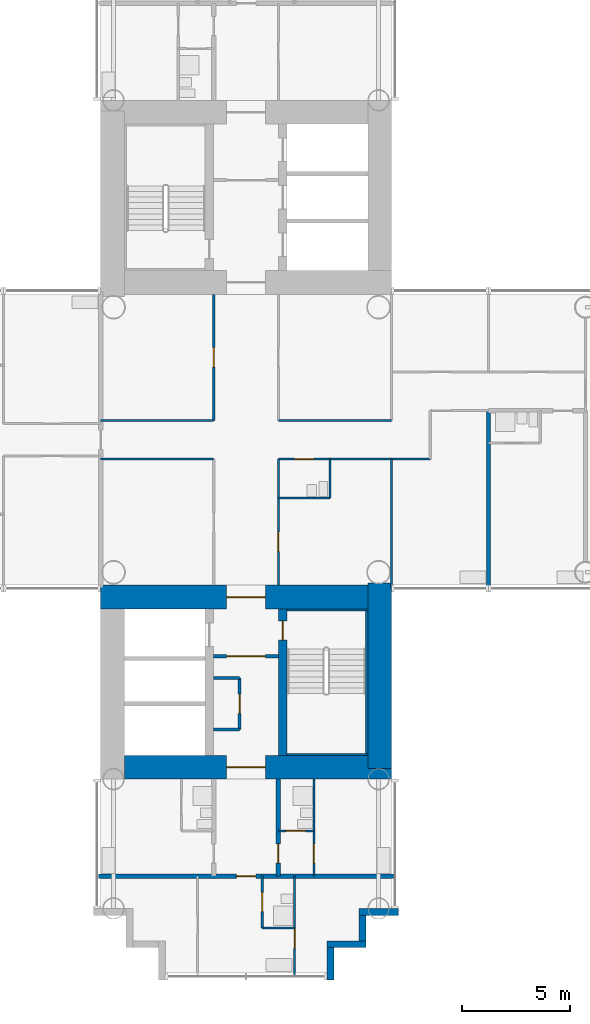
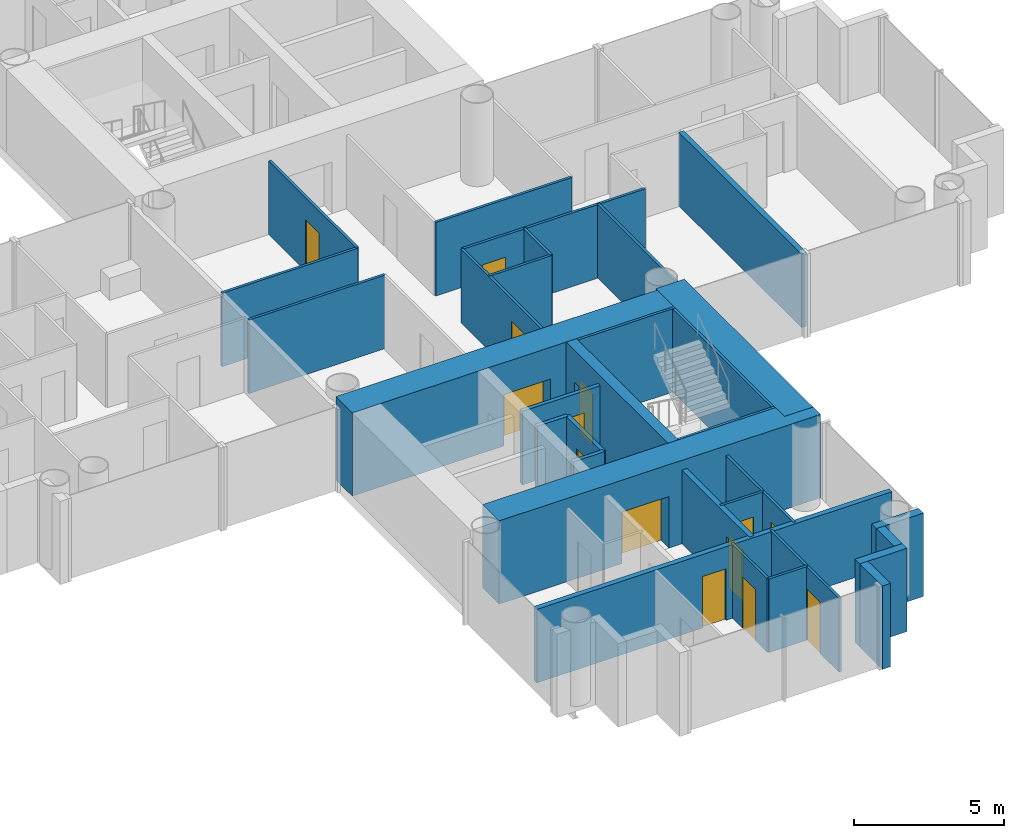
# One storey, part 14 of 22: 32 walls, 14 doors, 14 openings.
"""IFC4 building model written with IfcOpenShell, lengths in metres."""

from ifc_helpers import new_model, si_unit, direction, frame, frame_2d, origin, place, context, subcontext, project, spatial, rectangle, extrude, material, layer, layer_set, type_object, element, fill, save


model = new_model("IFC4")

# Units and contexts
model_context = context("Model", 3, precision=1e-05, world=origin(), true_north=direction((0.0, 1.0)))
body_context = subcontext(model_context, "Body", "Model", "MODEL_VIEW")
ifc_project = project(units=[si_unit("LENGTHUNIT", "METRE"), si_unit("AREAUNIT", "SQUARE_METRE"), si_unit("VOLUMEUNIT", "CUBIC_METRE"), si_unit("PLANEANGLEUNIT", "RADIAN"), si_unit("MASSUNIT", "GRAM", prefix="KILO")], contexts=[model_context])

# Site, building, storey
site_placement = place(None, origin())
site = spatial("IfcSite", under=ifc_project, at=site_placement, CompositionType="ELEMENT")
building_placement = place(site_placement, origin())
building = spatial("IfcBuilding", under=site, at=building_placement, Name="Ipe Terrace Towers", CompositionType="ELEMENT")
storey_placement = place(building_placement, frame((0.0, 0.0, 55.10009765625)))
storey = spatial("IfcBuildingStorey", under=building, at=storey_placement, Name="L14", CompositionType="ELEMENT", Elevation=55.10009765625)

# Walls
ifc_material_1 = material(Name="Concrete C40/50 with buff precast cladding", Category="concrete")
ifc_layer_1 = layer(ifc_material_1, 0.320068359375)
ifc_layer_set_1 = layer_set([ifc_layer_1], Name="BUFF CLADDING WALL 320")
wall_type_1 = type_object("IfcWallType", Name="BUFF CLADDING WALL 320", PredefinedType="STANDARD", material=ifc_layer_set_1)
wall_1_placement = place(storey_placement, frame((39.909912109375, -25.070068359375, -0.300048828125), z_axis=(0.0, 0.0, 1.0), x_axis=(0.0, 1.0, 0.0)))
element("IfcWall", 1, at=wall_1_placement, inside=storey, type_object=wall_type_1, Name="T2-W-L14-00a wall", PredefinedType="STANDARD", context=body_context, shape_type="SweptSolid", body=[
    extrude(rectangle(XDim=1.5, YDim=0.320068359375, at=frame_2d((0.75, 0.0))), origin(), (0.0, 0.0, 1.0), 3.39990234375),
])
wall_2_placement = place(storey_placement, frame((39.75, -23.409912109375, -0.300048828125), z_axis=(0.0, 0.0, 1.0), x_axis=(1.0, 0.0, 0.0)))
element("IfcWall", 2, at=wall_2_placement, inside=storey, type_object=wall_type_1, Name="T2-W-L14-01a wall", PredefinedType="STANDARD", context=body_context, shape_type="SweptSolid", body=[
    extrude(rectangle(XDim=1.820068359375, YDim=0.320068359375, at=frame_2d((0.91015625, 0.0))), origin(), (0.0, 0.0, 1.0), 3.39990234375),
])
wall_3_placement = place(storey_placement, frame((41.409912109375, -23.25, -0.300048828125), z_axis=(0.0, 0.0, 1.0), x_axis=(0.0, 1.0, 0.0)))
element("IfcWall", 3, at=wall_3_placement, inside=storey, type_object=wall_type_1, Name="T2-W-L14-02a wall", PredefinedType="STANDARD", context=body_context, shape_type="SweptSolid", body=[
    extrude(rectangle(XDim=1.179931640625, YDim=0.320068359375, at=frame_2d((0.58984375, 0.0))), origin(), (0.0, 0.0, 1.0), 3.39990234375),
])
wall_4_placement = place(storey_placement, frame((41.25, -21.909912109375, -0.300048828125), z_axis=(0.0, 0.0, 1.0), x_axis=(1.0, 0.0, 0.0)))
element("IfcWall", 4, at=wall_4_placement, inside=storey, type_object=wall_type_1, Name="T2-W-L14-03a wall", PredefinedType="STANDARD", context=body_context, shape_type="SweptSolid", body=[
    extrude(rectangle(XDim=1.820068359375, YDim=0.320068359375, at=frame_2d((0.91015625, 0.0))), origin(), (0.0, 0.0, 1.0), 3.39990234375),
])
ifc_material_2 = material(Name="Gypsum board partition", Category="plasterboard")
ifc_layer_2 = layer(ifc_material_2, 0.10009765625)
ifc_layer_set_2 = layer_set([ifc_layer_2], Name="Gypsum board partition 100 mm")
wall_type_2 = type_object("IfcWallType", Name="Gypsum board partition 100 mm", PredefinedType="PARTITIONING", material=ifc_layer_set_2)
wall_5_placement = place(storey_placement, frame((38.25, -22.64990234375, 0.0), z_axis=(0.0, 0.0, 1.0), x_axis=(-1.0, 0.0, 0.0)))
element("IfcWall", 5, at=wall_5_placement, inside=storey, type_object=wall_type_2, Name="Gypsum board partition T2 L14 W01", PredefinedType="PARTITIONING", context=body_context, shape_type="SweptSolid", body=[
    extrude(rectangle(XDim=1.5, YDim=0.10009765625, at=frame_2d((0.75, 0.0))), origin(), (0.0, 0.0, 1.0), 3.0),
])

# Wall, opening, door
wall_6_placement = place(storey_placement, frame((39.14990234375, -18.14990234375, 0.0), z_axis=(0.0, 0.0, 1.0), x_axis=(-1.0, 0.0, 0.0)))
wall_6 = element("IfcWall", 6, at=wall_6_placement, inside=storey, type_object=wall_type_2, Name="Gypsum board partition T2 L14 W03", PredefinedType="PARTITIONING", context=body_context, shape_type="SweptSolid", body=[
    extrude(rectangle(XDim=1.64990234375, YDim=0.10009765625, at=frame_2d((0.824951171875, 0.0))), origin(), (0.0, 0.0, 1.0), 3.0),
])
opening_1_placement = place(wall_6_placement, frame((0.39990234375, 0.0, 0.0)))
opening_1 = element("IfcOpeningElement", 7, at=opening_1_placement, cuts=wall_6, Name="Opening T2-Z1D-32", PredefinedType="OPENING", context=body_context, shape_type="SweptSolid", body=[
    extrude(rectangle(XDim=0.89990234375, YDim=2.10009765625, at=frame_2d((0.449951171875, 1.050048828125))), frame((0.0, 0.06005859375, 0.0), z_axis=(0.0, -1.0, 0.0), x_axis=(1.0, 0.0, 0.0)), (0.0, 0.0, 1.0), 0.1201171875),
])
ifc_material_3 = material(Name="Timber door leaf", Category="wood")
door_type_1 = type_object("IfcDoorType", Name="Bathroom door 900 x 2100", OperationType="NOTDEFINED", PredefinedType="DOOR", material=ifc_material_3)
door_1_placement = place(opening_1_placement, origin())
door_1 = element("IfcDoor", 8, at=door_1_placement, inside=storey, type_object=door_type_1, Name="Bathroom door T2-Z1D-32", OperationType="SINGLE_SWING_RIGHT", OverallHeight=2.10009765625, OverallWidth=0.89990234375, PredefinedType="DOOR", context=body_context, shape_type="SweptSolid", body=[
    extrude(rectangle(XDim=0.89990234375, YDim=2.10009765625, at=frame_2d((0.449951171875, 1.050048828125))), frame((0.0, 0.02490234375, 0.0), z_axis=(0.0, -1.0, 0.0), x_axis=(1.0, 0.0, 0.0)), (0.0, 0.0, 1.0), 0.050048828125),
])
fill(opening_1, door_1)

# Wall
wall_7_placement = place(storey_placement, frame((39.89990234375, -2.699951171875, 0.0), z_axis=(0.0, 0.0, 1.0), x_axis=(-1.0, 0.0, 0.0)))
element("IfcWall", 9, at=wall_7_placement, inside=storey, type_object=wall_type_2, Name="Gypsum board partition T2 L14 W06", PredefinedType="PARTITIONING", context=body_context, shape_type="SweptSolid", body=[
    extrude(rectangle(XDim=2.39990234375, YDim=0.10009765625, at=frame_2d((1.199951171875, 0.0))), origin(), (0.0, 0.0, 1.0), 3.0),
])

# Wall, opening, door
wall_8_placement = place(storey_placement, frame((44.550048828125, -0.89990234375, 0.0), z_axis=(0.0, 0.0, 1.0), x_axis=(-1.0, 0.0, 0.0)))
wall_8 = element("IfcWall", 10, at=wall_8_placement, inside=storey, type_object=wall_type_2, Name="Gypsum board partition T2 L14 W08", PredefinedType="PARTITIONING", context=body_context, shape_type="SweptSolid", body=[
    extrude(rectangle(XDim=7.050048828125, YDim=0.10009765625, at=frame_2d((3.52490234375, 0.0))), origin(), (0.0, 0.0, 1.0), 3.0),
])
opening_2_placement = place(wall_8_placement, frame((5.39990234375, 0.0, 0.0)))
opening_2 = element("IfcOpeningElement", 11, at=opening_2_placement, cuts=wall_8, Name="Opening T2-Z1D-01", PredefinedType="OPENING", context=body_context, shape_type="SweptSolid", body=[
    extrude(rectangle(XDim=0.89990234375, YDim=2.10009765625, at=frame_2d((0.449951171875, 1.050048828125))), frame((0.0, 0.06005859375, 0.0), z_axis=(0.0, -1.0, 0.0), x_axis=(1.0, 0.0, 0.0)), (0.0, 0.0, 1.0), 0.1201171875),
])
door_2_placement = place(opening_2_placement, origin())
door_2 = element("IfcDoor", 12, at=door_2_placement, inside=storey, type_object=door_type_1, Name="Bathroom door T2-Z1D-01", OperationType="SINGLE_SWING_LEFT", OverallHeight=2.10009765625, OverallWidth=0.89990234375, PredefinedType="DOOR", context=body_context, shape_type="SweptSolid", body=[
    extrude(rectangle(XDim=0.89990234375, YDim=2.10009765625, at=frame_2d((0.449951171875, 1.050048828125))), frame((0.0, 0.02490234375, 0.0), z_axis=(0.0, -1.0, 0.0), x_axis=(1.0, 0.0, 0.0)), (0.0, 0.0, 1.0), 0.050048828125),
])
fill(opening_2, door_2)

# Walls
for number, where, z_axis, x_axis, name in (
    (13, (34.5, -0.89990234375, 0.0), (0.0, 0.0, 1.0), (-1.0, 0.0, 0.0), "Gypsum board partition T2 L14 W09"),
    (14, (42.75, 0.89990234375, 0.0), (0.0, 0.0, 1.0), (-1.0, 0.0, 0.0), "Gypsum board partition T2 L14 W14"),
    (15, (34.5, 0.89990234375, 0.0), (0.0, 0.0, 1.0), (-1.0, 0.0, 0.0), "Gypsum board partition T2 L14 W15"),
):
    element("IfcWall", number, at=place(storey_placement, frame(where, z_axis=z_axis, x_axis=x_axis)), inside=storey, type_object=wall_type_2, Name=name, PredefinedType="PARTITIONING", context=body_context, shape_type="SweptSolid", body=[
        extrude(rectangle(XDim=5.25, YDim=0.10009765625, at=frame_2d((2.625, 0.0))), origin(), (0.0, 0.0, 1.0), 3.0),
    ])
wall_9_placement = place(storey_placement, frame((42.75, -6.85009765625, 0.0), z_axis=(0.0, 0.0, 1.0), x_axis=(0.0, 1.0, 0.0)))
element("IfcWall", 16, at=wall_9_placement, inside=storey, type_object=wall_type_2, Name="Gypsum board partition T2 L14 W30", PredefinedType="PARTITIONING", context=body_context, shape_type="SweptSolid", body=[
    extrude(rectangle(XDim=5.9501953125, YDim=0.10009765625, at=frame_2d((2.97509765625, 0.0))), origin(), (0.0, 0.0, 1.0), 3.0),
])
wall_10_placement = place(storey_placement, frame((39.89990234375, -2.699951171875, 0.0), z_axis=(0.0, 0.0, 1.0), x_axis=(0.0, 1.0, 0.0)))
element("IfcWall", 17, at=wall_10_placement, inside=storey, type_object=wall_type_2, Name="Gypsum board partition T2 L14 W32", PredefinedType="PARTITIONING", context=body_context, shape_type="SweptSolid", body=[
    extrude(rectangle(XDim=1.800048828125, YDim=0.10009765625, at=frame_2d((0.89990234375, 0.0))), origin(), (0.0, 0.0, 1.0), 3.0),
])

# Wall, opening, door
wall_11_placement = place(storey_placement, frame((39.14990234375, -20.25, 0.0), z_axis=(0.0, 0.0, 1.0), x_axis=(0.0, 1.0, 0.0)))
wall_11 = element("IfcWall", 18, at=wall_11_placement, inside=storey, type_object=wall_type_2, Name="Gypsum board partition T2 L14 W33", PredefinedType="PARTITIONING", context=body_context, shape_type="SweptSolid", body=[
    extrude(rectangle(XDim=4.5, YDim=0.10009765625, at=frame_2d((2.25, 0.0))), origin(), (0.0, 0.0, 1.0), 3.0),
])
opening_3_placement = place(wall_11_placement, frame((0.60009765625, 0.0, 0.0)))
opening_3 = element("IfcOpeningElement", 19, at=opening_3_placement, cuts=wall_11, Name="Opening T2-Z1D-31", PredefinedType="OPENING", context=body_context, shape_type="SweptSolid", body=[
    extrude(rectangle(XDim=0.89990234375, YDim=2.10009765625, at=frame_2d((0.449951171875, 1.050048828125))), frame((0.0, 0.06005859375, 0.0), z_axis=(0.0, -1.0, 0.0), x_axis=(1.0, 0.0, 0.0)), (0.0, 0.0, 1.0), 0.1201171875),
])
ifc_material_4 = material(Name="Timber door leaf", Category="wood")
door_type_2 = type_object("IfcDoorType", Name="Bedroom door 900 x 2100", OperationType="NOTDEFINED", PredefinedType="DOOR", material=ifc_material_4)
door_3_placement = place(opening_3_placement, origin())
door_3 = element("IfcDoor", 20, at=door_3_placement, inside=storey, type_object=door_type_2, Name="Bedroom door T2-Z1D-31", OperationType="SINGLE_SWING_LEFT", OverallHeight=2.10009765625, OverallWidth=0.89990234375, PredefinedType="DOOR", context=body_context, shape_type="SweptSolid", body=[
    extrude(rectangle(XDim=0.89990234375, YDim=2.10009765625, at=frame_2d((0.449951171875, 1.050048828125))), frame((0.0, 0.02490234375, 0.0), z_axis=(0.0, -1.0, 0.0), x_axis=(1.0, 0.0, 0.0)), (0.0, 0.0, 1.0), 0.050048828125),
])
fill(opening_3, door_3)

wall_12_placement = place(storey_placement, frame((38.25, -24.85009765625, 0.0), z_axis=(0.0, 0.0, 1.0), x_axis=(0.0, 1.0, 0.0)))
wall_12 = element("IfcWall", 21, at=wall_12_placement, inside=storey, type_object=wall_type_2, Name="Gypsum board partition T2 L14 W34", PredefinedType="PARTITIONING", context=body_context, shape_type="SweptSolid", body=[
    extrude(rectangle(XDim=4.60009765625, YDim=0.10009765625, at=frame_2d((2.300048828125, 0.0))), origin(), (0.0, 0.0, 1.0), 3.0),
])
opening_4_placement = place(wall_12_placement, frame((1.25, 0.0, 0.0)))
opening_4 = element("IfcOpeningElement", 22, at=opening_4_placement, cuts=wall_12, Name="Opening T2-Z1D-37", PredefinedType="OPENING", context=body_context, shape_type="SweptSolid", body=[
    extrude(rectangle(XDim=0.89990234375, YDim=2.10009765625, at=frame_2d((0.449951171875, 1.050048828125))), frame((0.0, 0.06005859375, 0.0), z_axis=(0.0, -1.0, 0.0), x_axis=(1.0, 0.0, 0.0)), (0.0, 0.0, 1.0), 0.1201171875),
])
ifc_material_5 = material(Name="Timber door leaf", Category="wood")
door_type_3 = type_object("IfcDoorType", Name="Lounge door 900 x 2100", OperationType="NOTDEFINED", PredefinedType="DOOR", material=ifc_material_5)
door_4_placement = place(opening_4_placement, origin())
door_4 = element("IfcDoor", 23, at=door_4_placement, inside=storey, type_object=door_type_3, Name="Lounge door T2-Z1D-37", OperationType="SINGLE_SWING_LEFT", OverallHeight=2.10009765625, OverallWidth=0.89990234375, PredefinedType="DOOR", context=body_context, shape_type="SweptSolid", body=[
    extrude(rectangle(XDim=0.89990234375, YDim=2.10009765625, at=frame_2d((0.449951171875, 1.050048828125))), frame((0.0, 0.02490234375, 0.0), z_axis=(0.0, -1.0, 0.0), x_axis=(1.0, 0.0, 0.0)), (0.0, 0.0, 1.0), 0.050048828125),
])
fill(opening_4, door_4)

wall_13_placement = place(storey_placement, frame((37.5, -6.75, 0.0), z_axis=(0.0, 0.0, 1.0), x_axis=(0.0, 1.0, 0.0)))
wall_13 = element("IfcWall", 24, at=wall_13_placement, inside=storey, type_object=wall_type_2, Name="Gypsum board partition T2 L14 W36", PredefinedType="PARTITIONING", context=body_context, shape_type="SweptSolid", body=[
    extrude(rectangle(XDim=5.85009765625, YDim=0.10009765625, at=frame_2d((2.925048828125, 0.0))), origin(), (0.0, 0.0, 1.0), 3.0),
])
opening_5_placement = place(wall_13_placement, frame((1.574951171875, 0.0, 0.0)))
opening_5 = element("IfcOpeningElement", 25, at=opening_5_placement, cuts=wall_13, Name="Opening T2-Z1D-04", PredefinedType="OPENING", context=body_context, shape_type="SweptSolid", body=[
    extrude(rectangle(XDim=0.89990234375, YDim=2.10009765625, at=frame_2d((0.449951171875, 1.050048828125))), frame((0.0, 0.06005859375, 0.0), z_axis=(0.0, -1.0, 0.0), x_axis=(1.0, 0.0, 0.0)), (0.0, 0.0, 1.0), 0.1201171875),
])
door_5_placement = place(opening_5_placement, origin())
door_5 = element("IfcDoor", 26, at=door_5_placement, inside=storey, type_object=door_type_3, Name="Lounge door T2-Z1D-04", OperationType="SINGLE_SWING_LEFT", OverallHeight=2.10009765625, OverallWidth=0.89990234375, PredefinedType="DOOR", context=body_context, shape_type="SweptSolid", body=[
    extrude(rectangle(XDim=0.89990234375, YDim=2.10009765625, at=frame_2d((0.449951171875, 1.050048828125))), frame((0.0, 0.02490234375, 0.0), z_axis=(0.0, -1.0, 0.0), x_axis=(1.0, 0.0, 0.0)), (0.0, 0.0, 1.0), 0.050048828125),
])
fill(opening_5, door_5)

wall_14_placement = place(storey_placement, frame((36.75, -22.64990234375, 0.0), z_axis=(0.0, 0.0, 1.0), x_axis=(0.0, 1.0, 0.0)))
wall_14 = element("IfcWall", 27, at=wall_14_placement, inside=storey, type_object=wall_type_2, Name="Gypsum board partition T2 L14 W40", PredefinedType="PARTITIONING", context=body_context, shape_type="SweptSolid", body=[
    extrude(rectangle(XDim=2.39990234375, YDim=0.10009765625, at=frame_2d((1.199951171875, 0.0))), origin(), (0.0, 0.0, 1.0), 3.0),
])
opening_6_placement = place(wall_14_placement, frame((0.75, 0.0, 0.0)))
opening_6 = element("IfcOpeningElement", 28, at=opening_6_placement, cuts=wall_14, Name="Opening T2-Z1D-35", PredefinedType="OPENING", context=body_context, shape_type="SweptSolid", body=[
    extrude(rectangle(XDim=0.89990234375, YDim=2.10009765625, at=frame_2d((0.449951171875, 1.050048828125))), frame((0.0, 0.06005859375, 0.0), z_axis=(0.0, -1.0, 0.0), x_axis=(1.0, 0.0, 0.0)), (0.0, 0.0, 1.0), 0.1201171875),
])
door_6_placement = place(opening_6_placement, origin())
door_6 = element("IfcDoor", 29, at=door_6_placement, inside=storey, type_object=door_type_1, Name="Bathroom door T2-Z1D-35", OperationType="SINGLE_SWING_RIGHT", OverallHeight=2.10009765625, OverallWidth=0.89990234375, PredefinedType="DOOR", context=body_context, shape_type="SweptSolid", body=[
    extrude(rectangle(XDim=0.89990234375, YDim=2.10009765625, at=frame_2d((0.449951171875, 1.050048828125))), frame((0.0, 0.02490234375, 0.0), z_axis=(0.0, -1.0, 0.0), x_axis=(1.0, 0.0, 0.0)), (0.0, 0.0, 1.0), 0.050048828125),
])
fill(opening_6, door_6)

wall_15_placement = place(storey_placement, frame((34.5, 0.89990234375, 0.0), z_axis=(0.0, 0.0, 1.0), x_axis=(0.0, 1.0, 0.0)))
wall_15 = element("IfcWall", 30, at=wall_15_placement, inside=storey, type_object=wall_type_2, Name="Gypsum board partition T2 L14 W43", PredefinedType="PARTITIONING", context=body_context, shape_type="SweptSolid", body=[
    extrude(rectangle(XDim=5.85009765625, YDim=0.10009765625, at=frame_2d((2.925048828125, 0.0))), origin(), (0.0, 0.0, 1.0), 3.0),
])
opening_7_placement = place(wall_15_placement, frame((2.47509765625, 0.0, 0.0)))
opening_7 = element("IfcOpeningElement", 31, at=opening_7_placement, cuts=wall_15, Name="Opening T2-Z1D-02", PredefinedType="OPENING", context=body_context, shape_type="SweptSolid", body=[
    extrude(rectangle(XDim=0.89990234375, YDim=2.10009765625, at=frame_2d((0.449951171875, 1.050048828125))), frame((0.0, 0.06005859375, 0.0), z_axis=(0.0, -1.0, 0.0), x_axis=(1.0, 0.0, 0.0)), (0.0, 0.0, 1.0), 0.1201171875),
])
door_7_placement = place(opening_7_placement, origin())
door_7 = element("IfcDoor", 32, at=door_7_placement, inside=storey, type_object=door_type_3, Name="Lounge door T2-Z1D-02", OperationType="SINGLE_SWING_LEFT", OverallHeight=2.10009765625, OverallWidth=0.89990234375, PredefinedType="DOOR", context=body_context, shape_type="SweptSolid", body=[
    extrude(rectangle(XDim=0.89990234375, YDim=2.10009765625, at=frame_2d((0.449951171875, 1.050048828125))), frame((0.0, 0.02490234375, 0.0), z_axis=(0.0, -1.0, 0.0), x_axis=(1.0, 0.0, 0.0)), (0.0, 0.0, 1.0), 0.050048828125),
])
fill(opening_7, door_7)

ifc_material_6 = material(Name="Gypsum board partition", Category="plasterboard")
ifc_layer_3 = layer(ifc_material_6, 0.14990234375)
ifc_layer_set_3 = layer_set([ifc_layer_3], Name="Gypsum board partition 150 mm")
wall_type_3 = type_object("IfcWallType", Name="Gypsum board partition 150 mm", PredefinedType="PARTITIONING", material=ifc_layer_set_3)
wall_16_placement = place(storey_placement, frame((34.5, -10.050048828125, 0.0), z_axis=(0.0, 0.0, 1.0), x_axis=(1.0, 0.0, 0.0)))
wall_16 = element("IfcWall", 33, at=wall_16_placement, inside=storey, type_object=wall_type_3, Name="Gypsum board partition T2 L14 t2c2-lobby-wall", PredefinedType="PARTITIONING", context=body_context, shape_type="SweptSolid", body=[
    extrude(rectangle(XDim=3.0, YDim=0.14990234375, at=frame_2d((1.5, 0.0))), origin(), (0.0, 0.0, 1.0), 3.0),
])
opening_8_placement = place(wall_16_placement, frame((0.60009765625, 0.0, 0.0)))
opening_8 = element("IfcOpeningElement", 34, at=opening_8_placement, cuts=wall_16, Name="Opening T2C2-VD", PredefinedType="OPENING", context=body_context, shape_type="SweptSolid", body=[
    extrude(rectangle(XDim=1.800048828125, YDim=2.10009765625, at=frame_2d((0.89990234375, 1.050048828125))), frame((0.0, 0.0849609375, 0.0), z_axis=(0.0, -1.0, 0.0), x_axis=(1.0, 0.0, 0.0)), (0.0, 0.0, 1.0), 0.169921875),
])
ifc_material_7 = material(Name="Fire-rated timber door leaf", Category="wood")
door_type_4 = type_object("IfcDoorType", Name="Lobby door 1800 x 2100 FD60", OperationType="NOTDEFINED", PredefinedType="DOOR", material=ifc_material_7)
door_8_placement = place(opening_8_placement, origin())
door_8 = element("IfcDoor", 35, at=door_8_placement, inside=storey, type_object=door_type_4, Name="Lobby door T2C2-VD", OperationType="SINGLE_SWING_LEFT", OverallHeight=2.10009765625, OverallWidth=1.800048828125, PredefinedType="DOOR", context=body_context, shape_type="SweptSolid", body=[
    extrude(rectangle(XDim=1.800048828125, YDim=2.10009765625, at=frame_2d((0.89990234375, 1.050048828125))), frame((0.0, 0.02490234375, 0.0), z_axis=(0.0, -1.0, 0.0), x_axis=(1.0, 0.0, 0.0)), (0.0, 0.0, 1.0), 0.050048828125),
])
fill(opening_8, door_8)

wall_17_placement = place(storey_placement, frame((35.699951171875, -11.050048828125, 0.0), z_axis=(0.0, 0.0, 1.0), x_axis=(0.0, -1.0, 0.0)))
wall_17 = element("IfcWall", 36, at=wall_17_placement, inside=storey, type_object=wall_type_3, Name="Gypsum board partition T2 L14 t2c2-cup-s-f", PredefinedType="PARTITIONING", context=body_context, shape_type="SweptSolid", body=[
    extrude(rectangle(XDim=2.39990234375, YDim=0.14990234375, at=frame_2d((1.199951171875, 0.0))), origin(), (0.0, 0.0, 1.0), 3.0),
])
opening_9_placement = place(wall_17_placement, frame((0.75, 0.0, 0.0)))
opening_9 = element("IfcOpeningElement", 37, at=opening_9_placement, cuts=wall_17, Name="Opening T2C2-SC", PredefinedType="OPENING", context=body_context, shape_type="SweptSolid", body=[
    extrude(rectangle(XDim=0.89990234375, YDim=2.10009765625, at=frame_2d((0.449951171875, 1.050048828125))), frame((0.0, 0.0849609375, 0.0), z_axis=(0.0, -1.0, 0.0), x_axis=(1.0, 0.0, 0.0)), (0.0, 0.0, 1.0), 0.169921875),
])
ifc_material_8 = material(Name="Fire-rated timber door leaf", Category="wood")
door_type_5 = type_object("IfcDoorType", Name="Service door 900 x 2100 FD30S", OperationType="NOTDEFINED", PredefinedType="DOOR", material=ifc_material_8)
door_9_placement = place(opening_9_placement, origin())
door_9 = element("IfcDoor", 38, at=door_9_placement, inside=storey, type_object=door_type_5, Name="Service door T2C2-SC", OperationType="SINGLE_SWING_LEFT", OverallHeight=2.10009765625, OverallWidth=0.89990234375, PredefinedType="DOOR", context=body_context, shape_type="SweptSolid", body=[
    extrude(rectangle(XDim=0.89990234375, YDim=2.10009765625, at=frame_2d((0.449951171875, 1.050048828125))), frame((0.0, 0.02490234375, 0.0), z_axis=(0.0, -1.0, 0.0), x_axis=(1.0, 0.0, 0.0)), (0.0, 0.0, 1.0), 0.050048828125),
])
fill(opening_9, door_9)

# Walls
for number, where, z_axis, x_axis, name in (
    (39, (35.699951171875, -11.050048828125, 0.0), (0.0, 0.0, 1.0), (-1.0, 0.0, 0.0), "Gypsum board partition T2 L14 t2c2-cup-s-a"),
    (40, (35.699951171875, -13.449951171875, 0.0), (0.0, 0.0, 1.0), (-1.0, 0.0, 0.0), "Gypsum board partition T2 L14 t2c2-cup-s-b"),
):
    element("IfcWall", number, at=place(storey_placement, frame(where, z_axis=z_axis, x_axis=x_axis)), inside=storey, type_object=wall_type_3, Name=name, PredefinedType="PARTITIONING", context=body_context, shape_type="SweptSolid", body=[
        extrude(rectangle(XDim=1.199951171875, YDim=0.14990234375, at=frame_2d((0.60009765625, 0.0))), origin(), (0.0, 0.0, 1.0), 3.0),
    ])

# Wall, opening, door
ifc_material_9 = material(Name="Gypsum board party wall", Category="plasterboard")
ifc_layer_4 = layer(ifc_material_9, 0.199951171875)
ifc_layer_set_4 = layer_set([ifc_layer_4], Name="Gypsum board party wall 200 mm")
wall_type_4 = type_object("IfcWallType", Name="Gypsum board party wall 200 mm", PredefinedType="SOLIDWALL", material=ifc_layer_set_4)
wall_18_placement = place(storey_placement, frame((42.85009765625, -20.25, 0.0), z_axis=(0.0, 0.0, 1.0), x_axis=(-1.0, 0.0, 0.0)))
wall_18 = element("IfcWall", 41, at=wall_18_placement, inside=storey, type_object=wall_type_4, Name="Gypsum board party wall T2 L14 W02", PredefinedType="SOLIDWALL", context=body_context, shape_type="SweptSolid", body=[
    extrude(rectangle(XDim=13.7001953125, YDim=0.199951171875, at=frame_2d((6.85009765625, 0.0))), origin(), (0.0, 0.0, 1.0), 3.0),
])
opening_10_placement = place(wall_18_placement, frame((6.39990234375, 0.0, 0.0)))
opening_10 = element("IfcOpeningElement", 42, at=opening_10_placement, cuts=wall_18, Name="Opening T2-Z1D-36", PredefinedType="OPENING", context=body_context, shape_type="SweptSolid", body=[
    extrude(rectangle(XDim=0.89990234375, YDim=2.10009765625, at=frame_2d((0.449951171875, 1.050048828125))), frame((0.0, 0.10986328125, 0.0), z_axis=(0.0, -1.0, 0.0), x_axis=(1.0, 0.0, 0.0)), (0.0, 0.0, 1.0), 0.219970703125),
])
ifc_material_10 = material(Name="Fire-rated timber door leaf", Category="wood")
door_type_6 = type_object("IfcDoorType", Name="Flat entrance door 900 x 2100 FD30S", OperationType="NOTDEFINED", PredefinedType="DOOR", material=ifc_material_10)
door_10_placement = place(opening_10_placement, origin())
door_10 = element("IfcDoor", 43, at=door_10_placement, inside=storey, type_object=door_type_6, Name="Flat entrance door T2-Z1D-36", OperationType="SINGLE_SWING_LEFT", OverallHeight=2.10009765625, OverallWidth=0.89990234375, PredefinedType="DOOR", context=body_context, shape_type="SweptSolid", body=[
    extrude(rectangle(XDim=0.89990234375, YDim=2.10009765625, at=frame_2d((0.449951171875, 1.050048828125))), frame((0.0, 0.02490234375, 0.0), z_axis=(0.0, -1.0, 0.0), x_axis=(1.0, 0.0, 0.0)), (0.0, 0.0, 1.0), 0.050048828125),
])
fill(opening_10, door_10)

# Wall
wall_19_placement = place(storey_placement, frame((47.25, -6.85009765625, 0.0), z_axis=(0.0, 0.0, 1.0), x_axis=(0.0, 1.0, 0.0)))
element("IfcWall", 44, at=wall_19_placement, inside=storey, type_object=wall_type_4, Name="Gypsum board party wall T2 L14 W28", PredefinedType="SOLIDWALL", context=body_context, shape_type="SweptSolid", body=[
    extrude(rectangle(XDim=8.2001953125, YDim=0.199951171875, at=frame_2d((4.10009765625, 0.0))), origin(), (0.0, 0.0, 1.0), 3.0),
])

# Wall, opening, door
wall_20_placement = place(storey_placement, frame((37.5, -20.25, 0.0), z_axis=(0.0, 0.0, 1.0), x_axis=(0.0, 1.0, 0.0)))
wall_20 = element("IfcWall", 45, at=wall_20_placement, inside=storey, type_object=wall_type_4, Name="Gypsum board party wall T2 L14 W39", PredefinedType="SOLIDWALL", context=body_context, shape_type="SweptSolid", body=[
    extrude(rectangle(XDim=4.5, YDim=0.199951171875, at=frame_2d((2.25, 0.0))), origin(), (0.0, 0.0, 1.0), 3.0),
])
opening_11_placement = place(wall_20_placement, frame((0.60009765625, 0.0, 0.0)))
opening_11 = element("IfcOpeningElement", 46, at=opening_11_placement, cuts=wall_20, Name="Opening T2-Z1D-30", PredefinedType="OPENING", context=body_context, shape_type="SweptSolid", body=[
    extrude(rectangle(XDim=0.89990234375, YDim=2.10009765625, at=frame_2d((0.449951171875, 1.050048828125))), frame((0.0, 0.10986328125, 0.0), z_axis=(0.0, -1.0, 0.0), x_axis=(1.0, 0.0, 0.0)), (0.0, 0.0, 1.0), 0.219970703125),
])
door_11_placement = place(opening_11_placement, origin())
door_11 = element("IfcDoor", 47, at=door_11_placement, inside=storey, type_object=door_type_6, Name="Flat entrance door T2-Z1D-30", OperationType="SINGLE_SWING_LEFT", OverallHeight=2.10009765625, OverallWidth=0.89990234375, PredefinedType="DOOR", context=body_context, shape_type="SweptSolid", body=[
    extrude(rectangle(XDim=0.89990234375, YDim=2.10009765625, at=frame_2d((0.449951171875, 1.050048828125))), frame((0.0, 0.02490234375, 0.0), z_axis=(0.0, -1.0, 0.0), x_axis=(1.0, 0.0, 0.0)), (0.0, 0.0, 1.0), 0.050048828125),
])
fill(opening_11, door_11)

# Walls
ifc_material_11 = material(Name="Concrete C60/75", Category="concrete")
ifc_layer_5 = layer(ifc_material_11, 0.10009765625)
ifc_layer_set_5 = layer_set([ifc_layer_5], Name="RW100 CORE INFILL WALL 100 C60-75")
wall_type_5 = type_object("IfcWallType", Name="RW100 CORE INFILL WALL 100 C60-75", PredefinedType="SHEAR", material=ifc_layer_set_5)
wall_21_placement = place(storey_placement, frame((37.89990234375, -14.60009765625, 0.0), z_axis=(0.0, 0.0, 1.0), x_axis=(1.0, 0.0, 0.0)))
element("IfcWall", 48, at=wall_21_placement, inside=storey, type_object=wall_type_5, Name="Core infill wall T2-C2-far", PredefinedType="SHEAR", context=body_context, shape_type="SweptSolid", body=[
    extrude(rectangle(XDim=3.75, YDim=0.10009765625, at=frame_2d((1.875, 0.0))), origin(), (0.0, 0.0, 1.0), 3.39990234375),
])
wall_22_placement = place(storey_placement, frame((41.60009765625, -7.949951171875, 0.0), z_axis=(0.0, 0.0, 1.0), x_axis=(0.0, -1.0, 0.0)))
element("IfcWall", 49, at=wall_22_placement, inside=storey, type_object=wall_type_5, Name="Core infill wall T2-C2-back", PredefinedType="SHEAR", context=body_context, shape_type="SweptSolid", body=[
    extrude(rectangle(XDim=6.60009765625, YDim=0.10009765625, at=frame_2d((3.300048828125, 0.0))), origin(), (0.0, 0.0, 1.0), 3.39990234375),
])
wall_23_placement = place(storey_placement, frame((37.89990234375, -7.89990234375, 0.0), z_axis=(0.0, 0.0, 1.0), x_axis=(1.0, 0.0, 0.0)))
element("IfcWall", 50, at=wall_23_placement, inside=storey, type_object=wall_type_5, Name="Core infill wall T2-C2-near", PredefinedType="SHEAR", context=body_context, shape_type="SweptSolid", body=[
    extrude(rectangle(XDim=3.75, YDim=0.10009765625, at=frame_2d((1.875, 0.0))), origin(), (0.0, 0.0, 1.0), 3.39990234375),
])

# Wall, opening, door
ifc_material_12 = material(Name="Concrete C60/75", Category="concrete")
ifc_layer_6 = layer(ifc_material_12, 1.10009765625)
ifc_layer_set_6 = layer_set([ifc_layer_6], Name="RW1100 CORE WALL 1100 C60-75")
wall_type_6 = type_object("IfcWallType", Name="RW1100 CORE WALL 1100 C60-75", PredefinedType="SHEAR", material=ifc_layer_set_6)
wall_24_placement = place(storey_placement, frame((30.35009765625, -15.199951171875, 0.0), z_axis=(0.0, 0.0, 1.0), x_axis=(1.0, 0.0, 0.0)))
wall_24 = element("IfcWall", 51, at=wall_24_placement, inside=storey, type_object=wall_type_6, Name="Core wall T2-C2-Z1-W01", PredefinedType="SHEAR", context=body_context, shape_type="SweptSolid", body=[
    extrude(rectangle(XDim=12.39990234375, YDim=1.10009765625, at=frame_2d((6.199951171875, 0.0))), origin(), (0.0, 0.0, 1.0), 3.39990234375),
])
opening_12_placement = place(wall_24_placement, frame((4.75, 0.0, 0.0)))
opening_12 = element("IfcOpeningElement", 52, at=opening_12_placement, cuts=wall_24, Name="Opening T2C2-FD", PredefinedType="OPENING", context=body_context, shape_type="SweptSolid", body=[
    extrude(rectangle(XDim=1.800048828125, YDim=2.10009765625, at=frame_2d((0.89990234375, 1.050048828125))), frame((0.0, 0.56005859375, 0.0), z_axis=(0.0, -1.0, 0.0), x_axis=(1.0, 0.0, 0.0)), (0.0, 0.0, 1.0), 1.1201171875),
])
ifc_material_13 = material(Name="Fire-rated timber door leaf", Category="wood")
door_type_7 = type_object("IfcDoorType", Name="Fire door 1800 x 2100 FD30S", OperationType="NOTDEFINED", PredefinedType="DOOR", material=ifc_material_13)
door_12_placement = place(opening_12_placement, origin())
door_12 = element("IfcDoor", 53, at=door_12_placement, inside=storey, type_object=door_type_7, Name="Fire door T2C2-FD", OperationType="SINGLE_SWING_LEFT", OverallHeight=2.10009765625, OverallWidth=1.800048828125, PredefinedType="DOOR", context=body_context, shape_type="SweptSolid", body=[
    extrude(rectangle(XDim=1.800048828125, YDim=2.10009765625, at=frame_2d((0.89990234375, 1.050048828125))), frame((0.0, 0.02490234375, 0.0), z_axis=(0.0, -1.0, 0.0), x_axis=(1.0, 0.0, 0.0)), (0.0, 0.0, 1.0), 0.050048828125),
])
fill(opening_12, door_12)

# Wall
wall_25_placement = place(storey_placement, frame((42.199951171875, -15.248046875, 0.0), z_axis=(0.0, 0.0, 1.0), x_axis=(0.0, 1.0, 0.0)))
element("IfcWall", 54, at=wall_25_placement, inside=storey, type_object=wall_type_6, Name="Core wall T2-C2-Z1-W02", PredefinedType="SHEAR", context=body_context, shape_type="SweptSolid", body=[
    extrude(rectangle(XDim=8.595947265625, YDim=1.10009765625, at=frame_2d((4.2978515625, 0.0))), origin(), (0.0, 0.0, 1.0), 3.39990234375),
])

# Wall, opening, door
wall_26_placement = place(storey_placement, frame((41.64990234375, -7.300048828125, 0.0), z_axis=(0.0, 0.0, 1.0), x_axis=(-1.0, 0.0, 0.0)))
wall_26 = element("IfcWall", 55, at=wall_26_placement, inside=storey, type_object=wall_type_6, Name="Core wall T2-C2-Z1-W03", PredefinedType="SHEAR", context=body_context, shape_type="SweptSolid", body=[
    extrude(rectangle(XDim=12.39990234375, YDim=1.10009765625, at=frame_2d((6.199951171875, 0.0))), origin(), (0.0, 0.0, 1.0), 3.39990234375),
])
opening_13_placement = place(wall_26_placement, frame((4.75, 0.0, 0.0)))
opening_13 = element("IfcOpeningElement", 56, at=opening_13_placement, cuts=wall_26, Name="Opening T2C2-ND", PredefinedType="OPENING", context=body_context, shape_type="SweptSolid", body=[
    extrude(rectangle(XDim=1.800048828125, YDim=2.10009765625, at=frame_2d((0.89990234375, 1.050048828125))), frame((0.0, 0.56005859375, 0.0), z_axis=(0.0, -1.0, 0.0), x_axis=(1.0, 0.0, 0.0)), (0.0, 0.0, 1.0), 1.1201171875),
])
door_13_placement = place(opening_13_placement, origin())
door_13 = element("IfcDoor", 57, at=door_13_placement, inside=storey, type_object=door_type_7, Name="Fire door T2C2-ND", OperationType="SINGLE_SWING_LEFT", OverallHeight=2.10009765625, OverallWidth=1.800048828125, PredefinedType="DOOR", context=body_context, shape_type="SweptSolid", body=[
    extrude(rectangle(XDim=1.800048828125, YDim=2.10009765625, at=frame_2d((0.89990234375, 1.050048828125))), frame((0.0, 0.02490234375, 0.0), z_axis=(0.0, -1.0, 0.0), x_axis=(1.0, 0.0, 0.0)), (0.0, 0.0, 1.0), 0.050048828125),
])
fill(opening_13, door_13)

ifc_material_14 = material(Name="Concrete C60/75", Category="concrete")
ifc_layer_7 = layer(ifc_material_14, 0.39990234375)
ifc_layer_set_7 = layer_set([ifc_layer_7], Name="RW400 CORE SPINE WALL 400 C60-75")
wall_type_7 = type_object("IfcWallType", Name="RW400 CORE SPINE WALL 400 C60-75", PredefinedType="SHEAR", material=ifc_layer_set_7)
wall_27_placement = place(storey_placement, frame((37.699951171875, -14.64990234375, 0.0), z_axis=(0.0, 0.0, 1.0), x_axis=(0.0, 1.0, 0.0)))
wall_27 = element("IfcWall", 58, at=wall_27_placement, inside=storey, type_object=wall_type_7, Name="Core spine wall T2-C2-Z1-SW2", PredefinedType="SHEAR", context=body_context, shape_type="SweptSolid", body=[
    extrude(rectangle(XDim=6.7998046875, YDim=0.39990234375, at=frame_2d((3.39990234375, 0.0))), origin(), (0.0, 0.0, 1.0), 3.39990234375),
])
opening_14_placement = place(wall_27_placement, frame((5.35009765625, 0.0, 0.0)))
opening_14 = element("IfcOpeningElement", 59, at=opening_14_placement, cuts=wall_27, Name="Opening T2C2-SD", PredefinedType="OPENING", context=body_context, shape_type="SweptSolid", body=[
    extrude(rectangle(XDim=0.89990234375, YDim=2.10009765625, at=frame_2d((0.449951171875, 1.050048828125))), frame((0.0, 0.2099609375, 0.0), z_axis=(0.0, -1.0, 0.0), x_axis=(1.0, 0.0, 0.0)), (0.0, 0.0, 1.0), 0.419921875),
])
ifc_material_15 = material(Name="Fire-rated timber door leaf", Category="wood")
door_type_8 = type_object("IfcDoorType", Name="Stair door 900 x 2100 FD60", OperationType="NOTDEFINED", PredefinedType="DOOR", material=ifc_material_15)
door_14_placement = place(opening_14_placement, origin())
door_14 = element("IfcDoor", 60, at=door_14_placement, inside=storey, type_object=door_type_8, Name="Stair door T2C2-SD", OperationType="SINGLE_SWING_RIGHT", OverallHeight=2.10009765625, OverallWidth=0.89990234375, PredefinedType="DOOR", context=body_context, shape_type="SweptSolid", body=[
    extrude(rectangle(XDim=0.89990234375, YDim=2.10009765625, at=frame_2d((0.449951171875, 1.050048828125))), frame((0.0, 0.02490234375, 0.0), z_axis=(0.0, -1.0, 0.0), x_axis=(1.0, 0.0, 0.0)), (0.0, 0.0, 1.0), 0.050048828125),
])
fill(opening_14, door_14)

save(model, "model.ifc")
